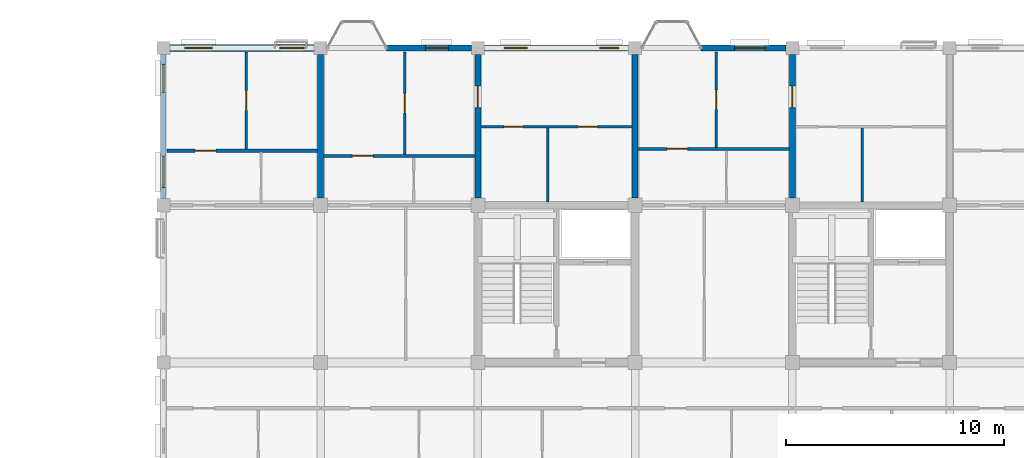
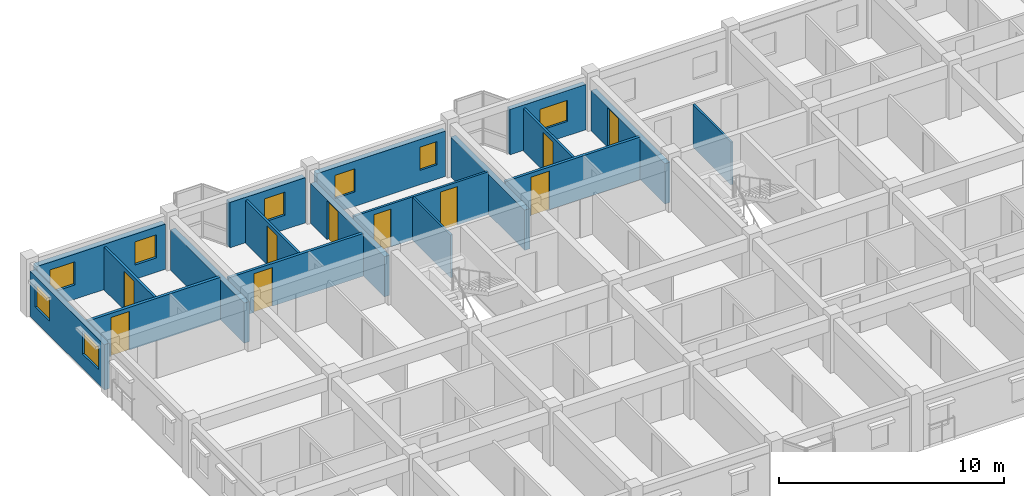
# One storey, part 110 of 124: 18 walls, 10 doors, 8 windows, 18 openings.
"""IFC4 building model written with IfcOpenShell, lengths in metres."""

from ifc_helpers import new_model, si_unit, direction, frame, frame_2d, origin, place, context, subcontext, project, spatial, rectangle, extrude, material, layer, layer_set, type_object, element, fill, save


model = new_model("IFC4")

# Units and contexts
model_context = context("Model", 3, precision=1e-05, world=origin(), true_north=direction((0.0, 1.0)))
body_context = subcontext(model_context, "Body", "Model", "MODEL_VIEW")
ifc_project = project(units=[si_unit("LENGTHUNIT", "METRE"), si_unit("AREAUNIT", "SQUARE_METRE"), si_unit("VOLUMEUNIT", "CUBIC_METRE"), si_unit("PLANEANGLEUNIT", "RADIAN"), si_unit("MASSUNIT", "GRAM", prefix="KILO"), si_unit("THERMODYNAMICTEMPERATUREUNIT", "KELVIN"), si_unit("POWERUNIT", "WATT")], contexts=[model_context])

# Site, building, storey
site_placement = place(None, origin())
site = spatial("IfcSite", under=ifc_project, at=site_placement, CompositionType="ELEMENT")
building_placement = place(site_placement, origin())
building = spatial("IfcBuilding", under=site, at=building_placement, Name="Tavuni Mirador Residences", CompositionType="ELEMENT")
storey_placement = place(building_placement, frame((0.0, 0.0, 7.64990234375)))
storey = spatial("IfcBuildingStorey", under=building, at=storey_placement, Name="L02", CompositionType="ELEMENT", Elevation=7.64990234375)

# Wall, opening, window
ifc_material_1 = material(Name="Sgraffito lime-rendered precast concrete C40/50", Category="concrete")
ifc_layer_1 = layer(ifc_material_1, 0.2548828125, Name="Sgraffito lime-rendered precast concrete C40/50", Category="concrete")
ifc_layer_set_1 = layer_set([ifc_layer_1], Name="Sgraffito lime-rendered precast concrete C40/50")
wall_type_1 = type_object("IfcWallType", Name="WT-EXT-PC255", PredefinedType="SOLIDWALL", material=ifc_layer_set_1)
wall_1_placement = place(storey_placement, frame((39.300048828125, 172.800048828125, 0.0), z_axis=(0.0, 0.0, 1.0), x_axis=(-1.0, 0.0, 0.0)))
wall_1 = element("IfcWall", 1, at=wall_1_placement, inside=storey, type_object=wall_type_1, Name="EW-BLK-C-L02-N03", PredefinedType="SOLIDWALL", context=body_context, shape_type="SweptSolid", body=[
    extrude(rectangle(XDim=3.880126953125, YDim=0.2548828125, at=frame_2d((1.93994140625, 0.0))), origin(), (0.0, 0.0, 1.0), 2.455078125),
])
opening_1_placement = place(wall_1_placement, frame((0.945068359375, 0.0, 0.780029296875)))
opening_1 = element("IfcOpeningElement", 2, at=opening_1_placement, cuts=wall_1, Name="Opening WN-08", PredefinedType="OPENING", context=body_context, shape_type="SweptSolid", body=[
    extrude(rectangle(XDim=1.39990234375, YDim=1.14990234375, at=frame_2d((0.699951171875, 0.574951171875))), frame((0.0, 0.137451171875, 0.0), z_axis=(0.0, -1.0, 0.0), x_axis=(1.0, 0.0, 0.0)), (0.0, 0.0, 1.0), 0.27490234375),
])
ifc_material_2 = material(Name="Laminated solar-control glass", Category="glass")
window_type_1 = type_object("IfcWindowType", Name="WNT-08", PartitioningType="SINGLE_PANEL", PredefinedType="WINDOW", material=ifc_material_2)
window_1_placement = place(opening_1_placement, origin())
window_1 = element("IfcWindow", 3, at=window_1_placement, inside=storey, type_object=window_type_1, Name="WIN-0935", OverallHeight=1.14990234375, OverallWidth=1.39990234375, PartitioningType="SINGLE_PANEL", PredefinedType="WINDOW", context=body_context, shape_type="SweptSolid", body=[
    extrude(rectangle(XDim=1.39990234375, YDim=1.14990234375, at=frame_2d((0.699951171875, 0.574951171875))), frame((0.0, 0.030029296875, 0.0), z_axis=(0.0, -1.0, 0.0), x_axis=(1.0, 0.0, 0.0)), (0.0, 0.0, 1.0), 0.06005859375),
])
fill(opening_1, window_1)

# Wall, openings, windows
wall_2_placement = place(storey_placement, frame((10.800048828125, 172.5, 0.0), z_axis=(0.0, 0.0, 1.0), x_axis=(0.0, -1.0, 0.0)))
wall_2 = element("IfcWall", 4, at=wall_2_placement, inside=storey, type_object=wall_type_1, Name="EW-BLK-C-L02-W03", PredefinedType="SOLIDWALL", context=body_context, shape_type="SweptSolid", body=[
    extrude(rectangle(XDim=6.60009765625, YDim=0.2548828125, at=frame_2d((3.300048828125, 0.0))), origin(), (0.0, 0.0, 1.0), 2.455078125),
])
opening_2_placement = place(wall_2_placement, frame((0.449951171875, 0.0, 0.780029296875)))
opening_2 = element("IfcOpeningElement", 5, at=opening_2_placement, cuts=wall_2, Name="Opening WN-14", PredefinedType="OPENING", context=body_context, shape_type="SweptSolid", body=[
    extrude(rectangle(XDim=1.280029296875, YDim=1.260009765625, at=frame_2d((0.64013671875, 0.6298828125))), frame((0.0, 0.137451171875, 0.0), z_axis=(0.0, -1.0, 0.0), x_axis=(1.0, 0.0, 0.0)), (0.0, 0.0, 1.0), 0.27490234375),
])
opening_3_placement = place(wall_2_placement, frame((4.64990234375, 0.0, 0.780029296875)))
opening_3 = element("IfcOpeningElement", 6, at=opening_3_placement, cuts=wall_2, Name="Opening WN-16", PredefinedType="OPENING", context=body_context, shape_type="SweptSolid", body=[
    extrude(rectangle(XDim=1.43994140625, YDim=1.260009765625, at=frame_2d((0.719970703125, 0.6298828125))), frame((0.0, 0.137451171875, 0.0), z_axis=(0.0, -1.0, 0.0), x_axis=(1.0, 0.0, 0.0)), (0.0, 0.0, 1.0), 0.27490234375),
])
window_type_2 = type_object("IfcWindowType", Name="WNT-14", PartitioningType="SINGLE_PANEL", PredefinedType="WINDOW", material=ifc_material_2)
window_2_placement = place(opening_2_placement, origin())
window_2 = element("IfcWindow", 7, at=window_2_placement, inside=storey, type_object=window_type_2, Name="WIN-0941", OverallHeight=1.260009765625, OverallWidth=1.280029296875, PartitioningType="SINGLE_PANEL", PredefinedType="WINDOW", context=body_context, shape_type="SweptSolid", body=[
    extrude(rectangle(XDim=1.280029296875, YDim=1.260009765625, at=frame_2d((0.64013671875, 0.6298828125))), frame((0.0, 0.030029296875, 0.0), z_axis=(0.0, -1.0, 0.0), x_axis=(1.0, 0.0, 0.0)), (0.0, 0.0, 1.0), 0.06005859375),
])
fill(opening_2, window_2)
window_type_3 = type_object("IfcWindowType", Name="WNT-16", PartitioningType="SINGLE_PANEL", PredefinedType="WINDOW", material=ifc_material_2)
window_3_placement = place(opening_3_placement, origin())
window_3 = element("IfcWindow", 8, at=window_3_placement, inside=storey, type_object=window_type_3, Name="WIN-0942", OverallHeight=1.260009765625, OverallWidth=1.43994140625, PartitioningType="SINGLE_PANEL", PredefinedType="WINDOW", context=body_context, shape_type="SweptSolid", body=[
    extrude(rectangle(XDim=1.43994140625, YDim=1.260009765625, at=frame_2d((0.719970703125, 0.6298828125))), frame((0.0, 0.030029296875, 0.0), z_axis=(0.0, -1.0, 0.0), x_axis=(1.0, 0.0, 0.0)), (0.0, 0.0, 1.0), 0.06005859375),
])
fill(opening_3, window_3)

ifc_layer_2 = layer(ifc_material_1, 0.27490234375, Name="Sgraffito lime-rendered precast concrete C40/50", Category="concrete")
ifc_layer_set_2 = layer_set([ifc_layer_2], Name="Sgraffito lime-rendered precast concrete C40/50")
wall_type_2 = type_object("IfcWallType", Name="WT-EXT-PC275", PredefinedType="SOLIDWALL", material=ifc_layer_set_2)
wall_3_placement = place(storey_placement, frame((32.10009765625, 172.800048828125, 0.0), z_axis=(0.0, 0.0, 1.0), x_axis=(-1.0, 0.0, 0.0)))
wall_3 = element("IfcWall", 9, at=wall_3_placement, inside=storey, type_object=wall_type_2, Name="EW-BLK-C-L02-N02", PredefinedType="SOLIDWALL", context=body_context, shape_type="SweptSolid", body=[
    extrude(rectangle(XDim=6.60009765625, YDim=0.27490234375, at=frame_2d((3.300048828125, 0.0))), origin(), (0.0, 0.0, 1.0), 2.455078125),
])
opening_4_placement = place(wall_3_placement, frame((0.449951171875, 0.0, 0.780029296875)))
opening_4 = element("IfcOpeningElement", 10, at=opening_4_placement, cuts=wall_3, Name="Opening WN-09", PredefinedType="OPENING", context=body_context, shape_type="SweptSolid", body=[
    extrude(rectangle(XDim=0.8798828125, YDim=1.260009765625, at=frame_2d((0.43994140625, 0.6298828125))), frame((0.0, 0.1474609375, 0.0), z_axis=(0.0, -1.0, 0.0), x_axis=(1.0, 0.0, 0.0)), (0.0, 0.0, 1.0), 0.294921875),
])
opening_5_placement = place(wall_3_placement, frame((4.64990234375, 0.0, 0.780029296875)))
opening_5 = element("IfcOpeningElement", 11, at=opening_5_placement, cuts=wall_3, Name="Opening WN-11", PredefinedType="OPENING", context=body_context, shape_type="SweptSolid", body=[
    extrude(rectangle(XDim=1.0400390625, YDim=1.260009765625, at=frame_2d((0.52001953125, 0.6298828125))), frame((0.0, 0.1474609375, 0.0), z_axis=(0.0, -1.0, 0.0), x_axis=(1.0, 0.0, 0.0)), (0.0, 0.0, 1.0), 0.294921875),
])
window_type_4 = type_object("IfcWindowType", Name="WNT-09", PartitioningType="SINGLE_PANEL", PredefinedType="WINDOW", material=ifc_material_2)
window_4_placement = place(opening_4_placement, origin())
window_4 = element("IfcWindow", 12, at=window_4_placement, inside=storey, type_object=window_type_4, Name="WIN-0936", OverallHeight=1.260009765625, OverallWidth=0.8798828125, PartitioningType="SINGLE_PANEL", PredefinedType="WINDOW", context=body_context, shape_type="SweptSolid", body=[
    extrude(rectangle(XDim=0.8798828125, YDim=1.260009765625, at=frame_2d((0.43994140625, 0.6298828125))), frame((0.0, 0.030029296875, 0.0), z_axis=(0.0, -1.0, 0.0), x_axis=(1.0, 0.0, 0.0)), (0.0, 0.0, 1.0), 0.06005859375),
])
fill(opening_4, window_4)
window_type_5 = type_object("IfcWindowType", Name="WNT-11", PartitioningType="SINGLE_PANEL", PredefinedType="WINDOW", material=ifc_material_2)
window_5_placement = place(opening_5_placement, origin())
window_5 = element("IfcWindow", 13, at=window_5_placement, inside=storey, type_object=window_type_5, Name="WIN-0937", OverallHeight=1.260009765625, OverallWidth=1.0400390625, PartitioningType="SINGLE_PANEL", PredefinedType="WINDOW", context=body_context, shape_type="SweptSolid", body=[
    extrude(rectangle(XDim=1.0400390625, YDim=1.260009765625, at=frame_2d((0.52001953125, 0.6298828125))), frame((0.0, 0.030029296875, 0.0), z_axis=(0.0, -1.0, 0.0), x_axis=(1.0, 0.0, 0.0)), (0.0, 0.0, 1.0), 0.06005859375),
])
fill(opening_5, window_5)

# Wall, opening, window
ifc_layer_3 = layer(ifc_material_1, 0.2900390625, Name="Sgraffito lime-rendered precast concrete C40/50", Category="concrete")
ifc_layer_set_3 = layer_set([ifc_layer_3], Name="Sgraffito lime-rendered precast concrete C40/50")
wall_type_3 = type_object("IfcWallType", Name="WT-EXT-PC290", PredefinedType="SOLIDWALL", material=ifc_layer_set_3)
wall_4_placement = place(storey_placement, frame((24.89990234375, 172.800048828125, 0.0), z_axis=(0.0, 0.0, 1.0), x_axis=(-1.0, 0.0, 0.0)))
wall_4 = element("IfcWall", 14, at=wall_4_placement, inside=storey, type_object=wall_type_3, Name="EW-BLK-C-L02-N01", PredefinedType="SOLIDWALL", context=body_context, shape_type="SweptSolid", body=[
    extrude(rectangle(XDim=3.8798828125, YDim=0.2900390625, at=frame_2d((1.93994140625, 0.0))), origin(), (0.0, 0.0, 1.0), 2.455078125),
])
opening_6_placement = place(wall_4_placement, frame((1.054931640625, 0.0, 0.780029296875)))
opening_6 = element("IfcOpeningElement", 15, at=opening_6_placement, cuts=wall_4, Name="Opening WN-11", PredefinedType="OPENING", context=body_context, shape_type="SweptSolid", body=[
    extrude(rectangle(XDim=1.0400390625, YDim=1.260009765625, at=frame_2d((0.52001953125, 0.6298828125))), frame((0.0, 0.155029296875, 0.0), z_axis=(0.0, -1.0, 0.0), x_axis=(1.0, 0.0, 0.0)), (0.0, 0.0, 1.0), 0.31005859375),
])
window_6_placement = place(opening_6_placement, origin())
window_6 = element("IfcWindow", 16, at=window_6_placement, inside=storey, type_object=window_type_5, Name="WIN-0938", OverallHeight=1.260009765625, OverallWidth=1.0400390625, PartitioningType="SINGLE_PANEL", PredefinedType="WINDOW", context=body_context, shape_type="SweptSolid", body=[
    extrude(rectangle(XDim=1.0400390625, YDim=1.260009765625, at=frame_2d((0.52001953125, 0.6298828125))), frame((0.0, 0.030029296875, 0.0), z_axis=(0.0, -1.0, 0.0), x_axis=(1.0, 0.0, 0.0)), (0.0, 0.0, 1.0), 0.06005859375),
])
fill(opening_6, window_6)

# Wall, openings, windows
ifc_layer_4 = layer(ifc_material_1, 0.304931640625, Name="Sgraffito lime-rendered precast concrete C40/50", Category="concrete")
ifc_layer_set_4 = layer_set([ifc_layer_4], Name="Sgraffito lime-rendered precast concrete C40/50")
wall_type_4 = type_object("IfcWallType", Name="WT-EXT-PC305", PredefinedType="SOLIDWALL", material=ifc_layer_set_4)
wall_5_placement = place(storey_placement, frame((17.699951171875, 172.800048828125, 0.0), z_axis=(0.0, 0.0, 1.0), x_axis=(-1.0, 0.0, 0.0)))
wall_5 = element("IfcWall", 17, at=wall_5_placement, inside=storey, type_object=wall_type_4, Name="EW-BLK-C-L02-N00", PredefinedType="SOLIDWALL", context=body_context, shape_type="SweptSolid", body=[
    extrude(rectangle(XDim=6.599853515625, YDim=0.304931640625, at=frame_2d((3.2998046875, 0.0))), origin(), (0.0, 0.0, 1.0), 2.455078125),
])
opening_7_placement = place(wall_5_placement, frame((0.449951171875, 0.0, 0.780029296875)))
opening_7 = element("IfcOpeningElement", 18, at=opening_7_placement, cuts=wall_5, Name="Opening WN-12", PredefinedType="OPENING", context=body_context, shape_type="SweptSolid", body=[
    extrude(rectangle(XDim=1.1201171875, YDim=1.260009765625, at=frame_2d((0.56005859375, 0.6298828125))), frame((0.0, 0.16259765625, 0.0), z_axis=(0.0, -1.0, 0.0), x_axis=(1.0, 0.0, 0.0)), (0.0, 0.0, 1.0), 0.324951171875),
])
opening_8_placement = place(wall_5_placement, frame((4.64990234375, 0.0, 0.780029296875)))
opening_8 = element("IfcOpeningElement", 19, at=opening_8_placement, cuts=wall_5, Name="Opening WN-14", PredefinedType="OPENING", context=body_context, shape_type="SweptSolid", body=[
    extrude(rectangle(XDim=1.280029296875, YDim=1.260009765625, at=frame_2d((0.64013671875, 0.6298828125))), frame((0.0, 0.16259765625, 0.0), z_axis=(0.0, -1.0, 0.0), x_axis=(1.0, 0.0, 0.0)), (0.0, 0.0, 1.0), 0.324951171875),
])
window_type_6 = type_object("IfcWindowType", Name="WNT-12", PartitioningType="SINGLE_PANEL", PredefinedType="WINDOW", material=ifc_material_2)
window_7_placement = place(opening_7_placement, origin())
window_7 = element("IfcWindow", 20, at=window_7_placement, inside=storey, type_object=window_type_6, Name="WIN-0939", OverallHeight=1.260009765625, OverallWidth=1.1201171875, PartitioningType="SINGLE_PANEL", PredefinedType="WINDOW", context=body_context, shape_type="SweptSolid", body=[
    extrude(rectangle(XDim=1.1201171875, YDim=1.260009765625, at=frame_2d((0.56005859375, 0.6298828125))), frame((0.0, 0.030029296875, 0.0), z_axis=(0.0, -1.0, 0.0), x_axis=(1.0, 0.0, 0.0)), (0.0, 0.0, 1.0), 0.06005859375),
])
fill(opening_7, window_7)
window_8_placement = place(opening_8_placement, origin())
window_8 = element("IfcWindow", 21, at=window_8_placement, inside=storey, type_object=window_type_2, Name="WIN-0940", OverallHeight=1.260009765625, OverallWidth=1.280029296875, PartitioningType="SINGLE_PANEL", PredefinedType="WINDOW", context=body_context, shape_type="SweptSolid", body=[
    extrude(rectangle(XDim=1.280029296875, YDim=1.260009765625, at=frame_2d((0.64013671875, 0.6298828125))), frame((0.0, 0.030029296875, 0.0), z_axis=(0.0, -1.0, 0.0), x_axis=(1.0, 0.0, 0.0)), (0.0, 0.0, 1.0), 0.06005859375),
])
fill(opening_8, window_8)

# Walls
ifc_material_3 = material(Name="Acoustic gypsum and concrete block partition", Category="concrete")
ifc_layer_5 = layer(ifc_material_3, 0.10498046875, Name="Acoustic gypsum and concrete block partition", Category="concrete")
ifc_layer_set_5 = layer_set([ifc_layer_5], Name="Acoustic gypsum and concrete block partition")
wall_type_5 = type_object("IfcWallType", Name="WT-PART105", PredefinedType="PARTITIONING", material=ifc_layer_set_5)
for number, where, z_axis, x_axis, name in (
    (22, (28.39990234375, 165.739990234375, 0.0), (0.0, 0.0, 1.0), (0.0, 1.0, 0.0), "PW-BLK-C-L02-NC02-V"),
    (23, (42.800048828125, 165.739990234375, 0.0), (0.0, 0.0, 1.0), (0.0, 1.0, 0.0), "PW-BLK-C-L02-NC04-V"),
):
    element("IfcWall", number, at=place(storey_placement, frame(where, z_axis=z_axis, x_axis=x_axis)), inside=storey, type_object=wall_type_5, Name=name, PredefinedType="PARTITIONING", context=body_context, shape_type="SweptSolid", body=[
        extrude(rectangle(XDim=3.389892578125, YDim=0.10498046875, at=frame_2d((1.69482421875, 0.0))), origin(), (0.0, 0.0, 1.0), 2.320068359375),
    ])

# Wall, opening, door
ifc_layer_6 = layer(ifc_material_3, 0.114990234375, Name="Acoustic gypsum and concrete block partition", Category="concrete")
ifc_layer_set_6 = layer_set([ifc_layer_6], Name="Acoustic gypsum and concrete block partition")
wall_type_6 = type_object("IfcWallType", Name="WT-PART115", PredefinedType="PARTITIONING", material=ifc_layer_set_6)
wall_6_placement = place(storey_placement, frame((21.860107421875, 167.929931640625, 0.0), z_axis=(0.0, 0.0, 1.0), x_axis=(0.0, 1.0, 0.0)))
wall_6 = element("IfcWall", 24, at=wall_6_placement, inside=storey, type_object=wall_type_6, Name="PW-BLK-C-L02-N01-OUT", PredefinedType="PARTITIONING", context=body_context, shape_type="SweptSolid", body=[
    extrude(rectangle(XDim=4.695068359375, YDim=0.114990234375, at=frame_2d((2.34765625, 0.0))), origin(), (0.0, 0.0, 1.0), 2.320068359375),
])
opening_9_placement = place(wall_6_placement, frame((1.8974609375, 0.0, 0.0)))
opening_9 = element("IfcOpeningElement", 25, at=opening_9_placement, cuts=wall_6, Name="Opening D-07", PredefinedType="OPENING", context=body_context, shape_type="SweptSolid", body=[
    extrude(rectangle(XDim=0.89990234375, YDim=2.10009765625, at=frame_2d((0.449951171875, 1.050048828125))), frame((0.0, 0.0673828125, 0.0), z_axis=(0.0, -1.0, 0.0), x_axis=(1.0, 0.0, 0.0)), (0.0, 0.0, 1.0), 0.135009765625),
])
ifc_material_4 = material(Name="Solid core iroko timber", Category="wood")
door_type_1 = type_object("IfcDoorType", Name="DT-BED900", OperationType="NOTDEFINED", PredefinedType="DOOR", material=ifc_material_4)
door_1_placement = place(opening_9_placement, origin())
door_1 = element("IfcDoor", 26, at=door_1_placement, inside=storey, type_object=door_type_1, Name="DR-3749", OperationType="SINGLE_SWING_RIGHT", OverallHeight=2.10009765625, OverallWidth=0.89990234375, PredefinedType="DOOR", context=body_context, shape_type="SweptSolid", body=[
    extrude(rectangle(XDim=0.89990234375, YDim=2.10009765625, at=frame_2d((0.449951171875, 1.050048828125))), frame((0.0, 0.02490234375, 0.0), z_axis=(0.0, -1.0, 0.0), x_axis=(1.0, 0.0, 0.0)), (0.0, 0.0, 1.0), 0.050048828125),
])
fill(opening_9, door_1)

# Wall, openings, doors
wall_7_placement = place(storey_placement, frame((25.340087890625, 169.199951171875, 0.0), z_axis=(0.0, 0.0, 1.0), x_axis=(1.0, 0.0, 0.0)))
wall_7 = element("IfcWall", 27, at=wall_7_placement, inside=storey, type_object=wall_type_6, Name="PW-BLK-C-L02-NC02-M", PredefinedType="PARTITIONING", context=body_context, shape_type="SweptSolid", body=[
    extrude(rectangle(XDim=6.919921875, YDim=0.114990234375, at=frame_2d((3.4599609375, 0.0))), origin(), (0.0, 0.0, 1.0), 2.320068359375),
])
opening_10_placement = place(wall_7_placement, frame((1.050048828125, 0.0, 0.0)))
opening_10 = element("IfcOpeningElement", 28, at=opening_10_placement, cuts=wall_7, Name="Opening D-10", PredefinedType="OPENING", context=body_context, shape_type="SweptSolid", body=[
    extrude(rectangle(XDim=0.8701171875, YDim=2.050048828125, at=frame_2d((0.43505859375, 1.02490234375))), frame((0.0, 0.0673828125, 0.0), z_axis=(0.0, -1.0, 0.0), x_axis=(1.0, 0.0, 0.0)), (0.0, 0.0, 1.0), 0.135009765625),
])
opening_11_placement = place(wall_7_placement, frame((4.449951171875, 0.0, 0.0)))
opening_11 = element("IfcOpeningElement", 29, at=opening_11_placement, cuts=wall_7, Name="Opening D-08", PredefinedType="OPENING", context=body_context, shape_type="SweptSolid", body=[
    extrude(rectangle(XDim=0.8798828125, YDim=2.080078125, at=frame_2d((0.43994140625, 1.0400390625))), frame((0.0, 0.0673828125, 0.0), z_axis=(0.0, -1.0, 0.0), x_axis=(1.0, 0.0, 0.0)), (0.0, 0.0, 1.0), 0.135009765625),
])
door_type_2 = type_object("IfcDoorType", Name="DT-BED880", OperationType="NOTDEFINED", PredefinedType="DOOR", material=ifc_material_4)
door_2_placement = place(opening_11_placement, origin())
door_2 = element("IfcDoor", 30, at=door_2_placement, inside=storey, type_object=door_type_2, Name="DR-3756", OperationType="SINGLE_SWING_RIGHT", OverallHeight=2.080078125, OverallWidth=0.8798828125, PredefinedType="DOOR", context=body_context, shape_type="SweptSolid", body=[
    extrude(rectangle(XDim=0.8798828125, YDim=2.080078125, at=frame_2d((0.43994140625, 1.0400390625))), frame((0.0, 0.02490234375, 0.0), z_axis=(0.0, -1.0, 0.0), x_axis=(1.0, 0.0, 0.0)), (0.0, 0.0, 1.0), 0.050048828125),
])
fill(opening_11, door_2)
door_type_3 = type_object("IfcDoorType", Name="DT-WC870", OperationType="NOTDEFINED", PredefinedType="DOOR", material=ifc_material_4)
door_3_placement = place(opening_10_placement, origin())
door_3 = element("IfcDoor", 31, at=door_3_placement, inside=storey, type_object=door_type_3, Name="DR-3755", OperationType="SINGLE_SWING_LEFT", OverallHeight=2.050048828125, OverallWidth=0.8701171875, PredefinedType="DOOR", context=body_context, shape_type="SweptSolid", body=[
    extrude(rectangle(XDim=0.8701171875, YDim=2.050048828125, at=frame_2d((0.43505859375, 1.02490234375))), frame((0.0, 0.02490234375, 0.0), z_axis=(0.0, -1.0, 0.0), x_axis=(1.0, 0.0, 0.0)), (0.0, 0.0, 1.0), 0.050048828125),
])
fill(opening_10, door_3)

# Wall, opening, door
wall_8_placement = place(storey_placement, frame((36.1201171875, 168.25, 0.0), z_axis=(0.0, 0.0, 1.0), x_axis=(0.0, 1.0, 0.0)))
wall_8 = element("IfcWall", 32, at=wall_8_placement, inside=storey, type_object=wall_type_6, Name="PW-BLK-C-L02-N03-OUT", PredefinedType="PARTITIONING", context=body_context, shape_type="SweptSolid", body=[
    extrude(rectangle(XDim=4.375, YDim=0.114990234375, at=frame_2d((2.1875, 0.0))), origin(), (0.0, 0.0, 1.0), 2.320068359375),
])
opening_12_placement = place(wall_8_placement, frame((1.737548828125, 0.0, 0.0)))
opening_12 = element("IfcOpeningElement", 33, at=opening_12_placement, cuts=wall_8, Name="Opening D-07", PredefinedType="OPENING", context=body_context, shape_type="SweptSolid", body=[
    extrude(rectangle(XDim=0.89990234375, YDim=2.10009765625, at=frame_2d((0.449951171875, 1.050048828125))), frame((0.0, 0.0673828125, 0.0), z_axis=(0.0, -1.0, 0.0), x_axis=(1.0, 0.0, 0.0)), (0.0, 0.0, 1.0), 0.135009765625),
])
door_4_placement = place(opening_12_placement, origin())
door_4 = element("IfcDoor", 34, at=door_4_placement, inside=storey, type_object=door_type_1, Name="DR-3761", OperationType="SINGLE_SWING_RIGHT", OverallHeight=2.10009765625, OverallWidth=0.89990234375, PredefinedType="DOOR", context=body_context, shape_type="SweptSolid", body=[
    extrude(rectangle(XDim=0.89990234375, YDim=2.10009765625, at=frame_2d((0.449951171875, 1.050048828125))), frame((0.0, 0.02490234375, 0.0), z_axis=(0.0, -1.0, 0.0), x_axis=(1.0, 0.0, 0.0)), (0.0, 0.0, 1.0), 0.050048828125),
])
fill(opening_12, door_4)

ifc_layer_7 = layer(ifc_material_3, 0.125, Name="Acoustic gypsum and concrete block partition", Category="concrete")
ifc_layer_set_7 = layer_set([ifc_layer_7], Name="Acoustic gypsum and concrete block partition")
wall_type_7 = type_object("IfcWallType", Name="WT-PART125", PredefinedType="PARTITIONING", material=ifc_layer_set_7)
wall_9_placement = place(storey_placement, frame((14.60009765625, 168.169921875, 0.0), z_axis=(0.0, 0.0, 1.0), x_axis=(0.0, 1.0, 0.0)))
wall_9 = element("IfcWall", 35, at=wall_9_placement, inside=storey, type_object=wall_type_7, Name="PW-BLK-C-L02-N00-OUT", PredefinedType="PARTITIONING", context=body_context, shape_type="SweptSolid", body=[
    extrude(rectangle(XDim=4.455078125, YDim=0.125, at=frame_2d((2.2275390625, 0.0))), origin(), (0.0, 0.0, 1.0), 2.320068359375),
])
opening_13_placement = place(wall_9_placement, frame((1.777587890625, 0.0, 0.0)))
opening_13 = element("IfcOpeningElement", 36, at=opening_13_placement, cuts=wall_9, Name="Opening D-07", PredefinedType="OPENING", context=body_context, shape_type="SweptSolid", body=[
    extrude(rectangle(XDim=0.89990234375, YDim=2.10009765625, at=frame_2d((0.449951171875, 1.050048828125))), frame((0.0, 0.072509765625, 0.0), z_axis=(0.0, -1.0, 0.0), x_axis=(1.0, 0.0, 0.0)), (0.0, 0.0, 1.0), 0.14501953125),
])
door_5_placement = place(opening_13_placement, origin())
door_5 = element("IfcDoor", 37, at=door_5_placement, inside=storey, type_object=door_type_1, Name="DR-3742", OperationType="SINGLE_SWING_RIGHT", OverallHeight=2.10009765625, OverallWidth=0.89990234375, PredefinedType="DOOR", context=body_context, shape_type="SweptSolid", body=[
    extrude(rectangle(XDim=0.89990234375, YDim=2.10009765625, at=frame_2d((0.449951171875, 1.050048828125))), frame((0.0, 0.02490234375, 0.0), z_axis=(0.0, -1.0, 0.0), x_axis=(1.0, 0.0, 0.0)), (0.0, 0.0, 1.0), 0.050048828125),
])
fill(opening_13, door_5)

ifc_layer_8 = layer(ifc_material_3, 0.139892578125, Name="Acoustic gypsum and concrete block partition", Category="concrete")
ifc_layer_set_8 = layer_set([ifc_layer_8], Name="Acoustic gypsum and concrete block partition")
wall_type_8 = type_object("IfcWallType", Name="WT-PART140", PredefinedType="PARTITIONING", material=ifc_layer_set_8)
wall_10_placement = place(storey_placement, frame((18.139892578125, 167.860107421875, 0.0), z_axis=(0.0, 0.0, 1.0), x_axis=(1.0, 0.0, 0.0)))
wall_10 = element("IfcWall", 38, at=wall_10_placement, inside=storey, type_object=wall_type_8, Name="PW-BLK-C-L02-N01-MID", PredefinedType="PARTITIONING", context=body_context, shape_type="SweptSolid", body=[
    extrude(rectangle(XDim=6.920166015625, YDim=0.139892578125, at=frame_2d((3.4599609375, 0.0))), origin(), (0.0, 0.0, 1.0), 2.320068359375),
])
opening_14_placement = place(wall_10_placement, frame((1.31005859375, 0.0, 0.0)))
opening_14 = element("IfcOpeningElement", 39, at=opening_14_placement, cuts=wall_10, Name="Opening D-05", PredefinedType="OPENING", context=body_context, shape_type="SweptSolid", body=[
    extrude(rectangle(XDim=0.949951171875, YDim=2.10009765625, at=frame_2d((0.47509765625, 1.050048828125))), frame((0.0, 0.080078125, 0.0), z_axis=(0.0, -1.0, 0.0), x_axis=(1.0, 0.0, 0.0)), (0.0, 0.0, 1.0), 0.159912109375),
])
door_type_4 = type_object("IfcDoorType", Name="DT-INT950", OperationType="NOTDEFINED", PredefinedType="DOOR", material=ifc_material_4)
door_6_placement = place(opening_14_placement, origin())
door_6 = element("IfcDoor", 40, at=door_6_placement, inside=storey, type_object=door_type_4, Name="DR-3751", OperationType="SINGLE_SWING_LEFT", OverallHeight=2.10009765625, OverallWidth=0.949951171875, PredefinedType="DOOR", context=body_context, shape_type="SweptSolid", body=[
    extrude(rectangle(XDim=0.949951171875, YDim=2.10009765625, at=frame_2d((0.47509765625, 1.050048828125))), frame((0.0, 0.02490234375, 0.0), z_axis=(0.0, -1.0, 0.0), x_axis=(1.0, 0.0, 0.0)), (0.0, 0.0, 1.0), 0.050048828125),
])
fill(opening_14, door_6)

wall_11_placement = place(storey_placement, frame((32.5400390625, 168.179931640625, 0.0), z_axis=(0.0, 0.0, 1.0), x_axis=(1.0, 0.0, 0.0)))
wall_11 = element("IfcWall", 41, at=wall_11_placement, inside=storey, type_object=wall_type_8, Name="PW-BLK-C-L02-N03-MID", PredefinedType="PARTITIONING", context=body_context, shape_type="SweptSolid", body=[
    extrude(rectangle(XDim=6.919921875, YDim=0.139892578125, at=frame_2d((3.4599609375, 0.0))), origin(), (0.0, 0.0, 1.0), 2.320068359375),
])
opening_15_placement = place(wall_11_placement, frame((1.31005859375, 0.0, 0.0)))
opening_15 = element("IfcOpeningElement", 42, at=opening_15_placement, cuts=wall_11, Name="Opening D-05", PredefinedType="OPENING", context=body_context, shape_type="SweptSolid", body=[
    extrude(rectangle(XDim=0.949951171875, YDim=2.10009765625, at=frame_2d((0.47509765625, 1.050048828125))), frame((0.0, 0.080078125, 0.0), z_axis=(0.0, -1.0, 0.0), x_axis=(1.0, 0.0, 0.0)), (0.0, 0.0, 1.0), 0.159912109375),
])
door_7_placement = place(opening_15_placement, origin())
door_7 = element("IfcDoor", 43, at=door_7_placement, inside=storey, type_object=door_type_4, Name="DR-3763", OperationType="SINGLE_SWING_LEFT", OverallHeight=2.10009765625, OverallWidth=0.949951171875, PredefinedType="DOOR", context=body_context, shape_type="SweptSolid", body=[
    extrude(rectangle(XDim=0.949951171875, YDim=2.10009765625, at=frame_2d((0.47509765625, 1.050048828125))), frame((0.0, 0.02490234375, 0.0), z_axis=(0.0, -1.0, 0.0), x_axis=(1.0, 0.0, 0.0)), (0.0, 0.0, 1.0), 0.050048828125),
])
fill(opening_15, door_7)

ifc_layer_9 = layer(ifc_material_3, 0.14990234375, Name="Acoustic gypsum and concrete block partition", Category="concrete")
ifc_layer_set_9 = layer_set([ifc_layer_9], Name="Acoustic gypsum and concrete block partition")
wall_type_9 = type_object("IfcWallType", Name="WT-PART150", PredefinedType="PARTITIONING", material=ifc_layer_set_9)
wall_12_placement = place(storey_placement, frame((10.97509765625, 168.10009765625, 0.0), z_axis=(0.0, 0.0, 1.0), x_axis=(1.0, 0.0, 0.0)))
wall_12 = element("IfcWall", 44, at=wall_12_placement, inside=storey, type_object=wall_type_9, Name="PW-BLK-C-L02-N00-MID", PredefinedType="PARTITIONING", context=body_context, shape_type="SweptSolid", body=[
    extrude(rectangle(XDim=6.885009765625, YDim=0.14990234375, at=frame_2d((3.4423828125, 0.0))), origin(), (0.0, 0.0, 1.0), 2.320068359375),
])
opening_16_placement = place(wall_12_placement, frame((1.27490234375, 0.0, 0.0)))
opening_16 = element("IfcOpeningElement", 45, at=opening_16_placement, cuts=wall_12, Name="Opening D-05", PredefinedType="OPENING", context=body_context, shape_type="SweptSolid", body=[
    extrude(rectangle(XDim=0.949951171875, YDim=2.10009765625, at=frame_2d((0.47509765625, 1.050048828125))), frame((0.0, 0.0849609375, 0.0), z_axis=(0.0, -1.0, 0.0), x_axis=(1.0, 0.0, 0.0)), (0.0, 0.0, 1.0), 0.169921875),
])
door_8_placement = place(opening_16_placement, origin())
door_8 = element("IfcDoor", 46, at=door_8_placement, inside=storey, type_object=door_type_4, Name="DR-3744", OperationType="SINGLE_SWING_LEFT", OverallHeight=2.10009765625, OverallWidth=0.949951171875, PredefinedType="DOOR", context=body_context, shape_type="SweptSolid", body=[
    extrude(rectangle(XDim=0.949951171875, YDim=2.10009765625, at=frame_2d((0.47509765625, 1.050048828125))), frame((0.0, 0.02490234375, 0.0), z_axis=(0.0, -1.0, 0.0), x_axis=(1.0, 0.0, 0.0)), (0.0, 0.0, 1.0), 0.050048828125),
])
fill(opening_16, door_8)

# Wall
ifc_material_5 = material(Name="Precast concrete C40/50", Category="concrete")
ifc_layer_10 = layer(ifc_material_5, 0.264892578125, Name="Precast concrete C40/50", Category="concrete")
ifc_layer_set_10 = layer_set([ifc_layer_10], Name="Precast concrete C40/50")
wall_type_10 = type_object("IfcWallType", Name="WT-XW265", PredefinedType="SOLIDWALL", material=ifc_layer_set_10)
wall_13_placement = place(storey_placement, frame((18.0, 165.925048828125, 0.0), z_axis=(0.0, 0.0, 1.0), x_axis=(0.0, 1.0, 0.0)))
element("IfcWall", 47, at=wall_13_placement, inside=storey, type_object=wall_type_10, Name="XW-BLK-C-L02-N-01", PredefinedType="SOLIDWALL", context=body_context, shape_type="SweptSolid", body=[
    extrude(rectangle(XDim=6.574951171875, YDim=0.264892578125, at=frame_2d((3.28759765625, 0.0))), origin(), (0.0, 0.0, 1.0), 2.18505859375),
])

# Wall, opening, door
wall_14_placement = place(storey_placement, frame((25.199951171875, 165.925048828125, 0.0), z_axis=(0.0, 0.0, 1.0), x_axis=(0.0, 1.0, 0.0)))
wall_14 = element("IfcWall", 48, at=wall_14_placement, inside=storey, type_object=wall_type_10, Name="XW-BLK-C-L02-N-02", PredefinedType="SOLIDWALL", context=body_context, shape_type="SweptSolid", body=[
    extrude(rectangle(XDim=6.574951171875, YDim=0.264892578125, at=frame_2d((3.28759765625, 0.0))), origin(), (0.0, 0.0, 1.0), 2.18505859375),
])
opening_17_placement = place(wall_14_placement, frame((4.14990234375, 0.0, 0.0)))
opening_17 = element("IfcOpeningElement", 49, at=opening_17_placement, cuts=wall_14, Name="Opening D-04", PredefinedType="OPENING", context=body_context, shape_type="SweptSolid", body=[
    extrude(rectangle(XDim=0.97998046875, YDim=2.1201171875, at=frame_2d((0.489990234375, 1.06005859375))), frame((0.0, 0.142578125, 0.0), z_axis=(0.0, -1.0, 0.0), x_axis=(1.0, 0.0, 0.0)), (0.0, 0.0, 1.0), 0.284912109375),
])
door_type_5 = type_object("IfcDoorType", Name="DT-FD60-980", OperationType="NOTDEFINED", PredefinedType="DOOR", material=ifc_material_4)
door_9_placement = place(opening_17_placement, origin())
door_9 = element("IfcDoor", 50, at=door_9_placement, inside=storey, type_object=door_type_5, Name="DR-4732", OperationType="SINGLE_SWING_LEFT", OverallHeight=2.1201171875, OverallWidth=0.97998046875, PredefinedType="DOOR", context=body_context, shape_type="SweptSolid", body=[
    extrude(rectangle(XDim=0.97998046875, YDim=2.1201171875, at=frame_2d((0.489990234375, 1.06005859375))), frame((0.0, 0.02490234375, 0.0), z_axis=(0.0, -1.0, 0.0), x_axis=(1.0, 0.0, 0.0)), (0.0, 0.0, 1.0), 0.050048828125),
])
fill(opening_17, door_9)

# Wall
wall_15_placement = place(storey_placement, frame((32.39990234375, 165.925048828125, 0.0), z_axis=(0.0, 0.0, 1.0), x_axis=(0.0, 1.0, 0.0)))
element("IfcWall", 51, at=wall_15_placement, inside=storey, type_object=wall_type_10, Name="XW-BLK-C-L02-N-03", PredefinedType="SOLIDWALL", context=body_context, shape_type="SweptSolid", body=[
    extrude(rectangle(XDim=6.574951171875, YDim=0.264892578125, at=frame_2d((3.28759765625, 0.0))), origin(), (0.0, 0.0, 1.0), 2.18505859375),
])

# Wall, opening, door
wall_16_placement = place(storey_placement, frame((39.60009765625, 165.925048828125, 0.0), z_axis=(0.0, 0.0, 1.0), x_axis=(0.0, 1.0, 0.0)))
wall_16 = element("IfcWall", 52, at=wall_16_placement, inside=storey, type_object=wall_type_10, Name="XW-BLK-C-L02-N-04", PredefinedType="SOLIDWALL", context=body_context, shape_type="SweptSolid", body=[
    extrude(rectangle(XDim=6.574951171875, YDim=0.264892578125, at=frame_2d((3.28759765625, 0.0))), origin(), (0.0, 0.0, 1.0), 2.18505859375),
])
opening_18_placement = place(wall_16_placement, frame((4.14990234375, 0.0, 0.0)))
opening_18 = element("IfcOpeningElement", 53, at=opening_18_placement, cuts=wall_16, Name="Opening D-04", PredefinedType="OPENING", context=body_context, shape_type="SweptSolid", body=[
    extrude(rectangle(XDim=0.97998046875, YDim=2.1201171875, at=frame_2d((0.489990234375, 1.06005859375))), frame((0.0, 0.142578125, 0.0), z_axis=(0.0, -1.0, 0.0), x_axis=(1.0, 0.0, 0.0)), (0.0, 0.0, 1.0), 0.284912109375),
])
door_10_placement = place(opening_18_placement, origin())
door_10 = element("IfcDoor", 54, at=door_10_placement, inside=storey, type_object=door_type_5, Name="DR-4733", OperationType="SINGLE_SWING_RIGHT", OverallHeight=2.1201171875, OverallWidth=0.97998046875, PredefinedType="DOOR", context=body_context, shape_type="SweptSolid", body=[
    extrude(rectangle(XDim=0.97998046875, YDim=2.1201171875, at=frame_2d((0.489990234375, 1.06005859375))), frame((0.0, 0.02490234375, 0.0), z_axis=(0.0, -1.0, 0.0), x_axis=(1.0, 0.0, 0.0)), (0.0, 0.0, 1.0), 0.050048828125),
])
fill(opening_18, door_10)

save(model, "model.ifc")
